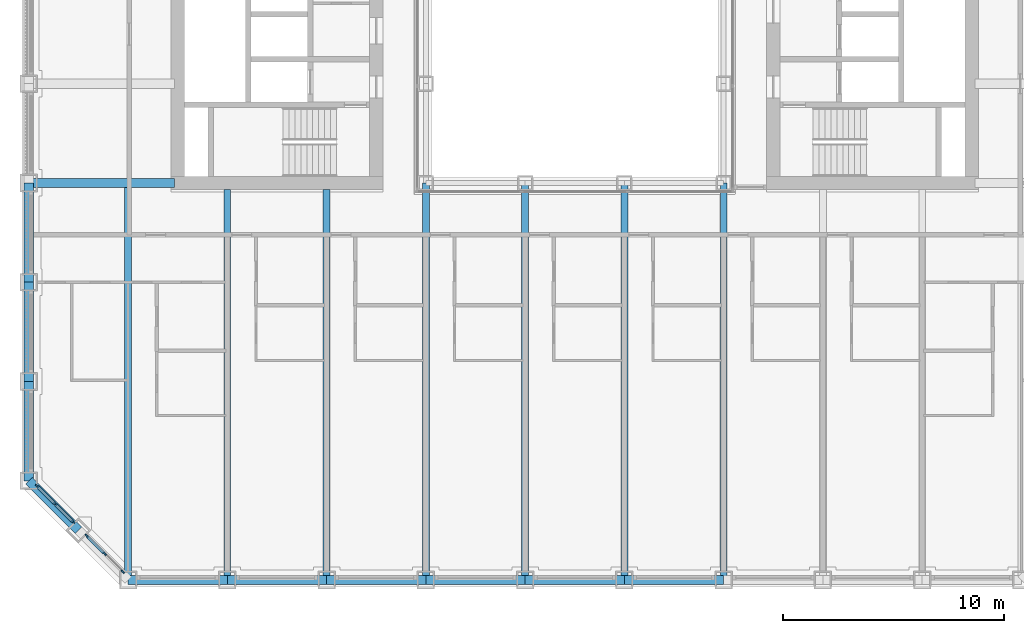
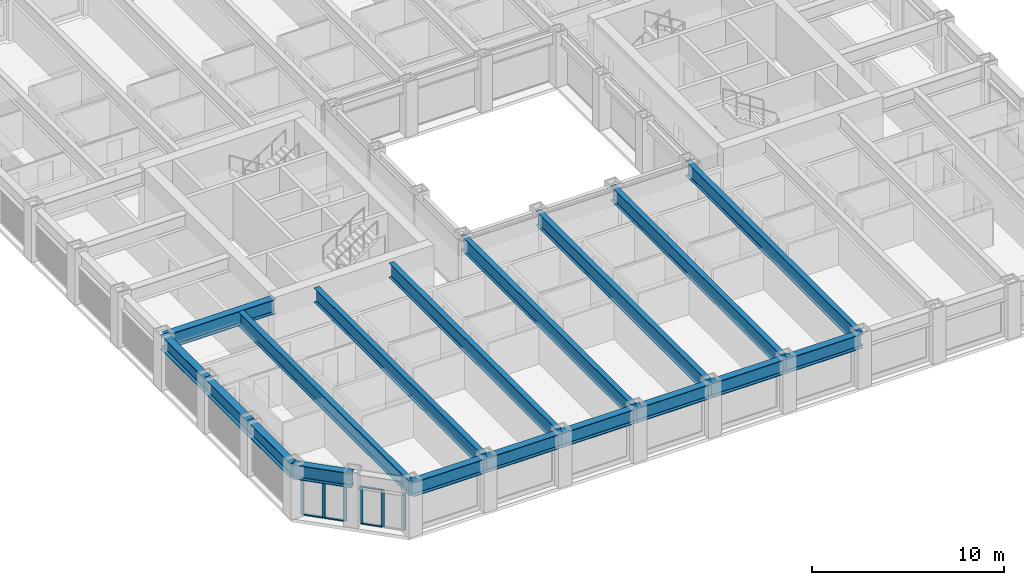
# One storey, part 2 of 21: 18 beams, 12 members, 2 elements without a shape of their own.
"""IFC4 building model written with IfcOpenShell, lengths in metres."""

import ifcopenshell
import ifcopenshell.guid

model = None  # the IFC model being written
_history = None  # IfcOwnerHistory: only IFC2X3 demands one
_inside = {}  # id of a spatial element -> (the spatial element, [elements in it])
_under = {}  # id of a project, library or spatial element -> (it, [spatial elements below it])
_declared = {}  # id of a project -> (the project, [libraries it declares])
_typed = {}  # id of a type object -> (the type object, [elements of that type])
_made_of = {}  # id of a material, layer set ... -> (it, [elements and type objects made of it])


def new_model(schema):
    """Start an empty IFC model of exactly this schema.

    Asked for "IFC4X3", IfcOpenShell would pick the latest addendum, in which some entities
    have other attributes; the version numbers below select the first issue.
    IFC2X3 requires an IfcOwnerHistory on every rooted entity: one is made here for all.
    """
    global model, _history
    if schema == "IFC4X3":
        model = ifcopenshell.file(schema_version=(4, 3, 0, 0))
    else:
        model = ifcopenshell.file(schema=schema)
    _inside.clear()
    _under.clear()
    _declared.clear()
    _typed.clear()
    _made_of.clear()
    _history = None
    if model.schema == "IFC2X3":
        org = make("IfcOrganization", Name="unknown")
        user = make(
            "IfcPersonAndOrganization",
            ThePerson=make("IfcPerson", FamilyName="unknown"),
            TheOrganization=org,
        )
        app = make(
            "IfcApplication",
            ApplicationDeveloper=org,
            Version="unknown",
            ApplicationFullName="unknown",
            ApplicationIdentifier="unknown",
        )
        _history = make(
            "IfcOwnerHistory",
            OwningUser=user,
            OwningApplication=app,
            ChangeAction="ADDED",
            CreationDate=0,
        )
    return model


def make(cls, **values):
    """One entity of the class cls with the attributes given. An attribute that is None is left unset."""
    return model.create_entity(
        cls, **{name: value for name, value in values.items() if value is not None}
    )


def rooted(cls, **values):
    """An entity with a GlobalId (a new one), such as an element, a storey or a relation."""
    return make(cls, GlobalId=ifcopenshell.guid.new(), OwnerHistory=_history, **values)


def si_unit(unit_type, name, prefix=None):
    """IfcSIUnit, for example si_unit("LENGTHUNIT", "METRE", prefix="MILLI")."""
    return make("IfcSIUnit", UnitType=unit_type, Prefix=prefix, Name=name)


def assignment(units):
    """IfcUnitAssignment: the units of a project."""
    return None if units is None else make("IfcUnitAssignment", Units=units)


def point(xyz):
    """IfcCartesianPoint."""
    return None if xyz is None else make("IfcCartesianPoint", Coordinates=xyz)


def direction(xyz):
    """IfcDirection."""
    return None if xyz is None else make("IfcDirection", DirectionRatios=xyz)


def frame(location, z_axis=None, x_axis=None):
    """IfcAxis2Placement3D, a coordinate frame: its origin and axes. An axis left out is left unset."""
    return make(
        "IfcAxis2Placement3D",
        Location=point(location),
        Axis=direction(z_axis),
        RefDirection=direction(x_axis),
    )


def frame_2d(location, x_axis=None):
    """IfcAxis2Placement2D, a coordinate frame in the plane: its origin and x axis."""
    return make(
        "IfcAxis2Placement2D", Location=point(location), RefDirection=direction(x_axis)
    )


def origin():
    """The frame at (0, 0, 0) with its axes left unset."""
    return frame((0.0, 0.0, 0.0))


def origin_2d():
    """The frame at (0, 0) in the plane with its x axis left unset."""
    return frame_2d((0.0, 0.0))


def place(relative_to, where):
    """IfcLocalPlacement: puts the frame where relative to a parent placement (None: the world)."""
    return make(
        "IfcLocalPlacement", PlacementRelTo=relative_to, RelativePlacement=where
    )


def context(
    kind, dimensions, precision=None, world=None, true_north=None, identifier=None
):
    """IfcGeometricRepresentationContext, for example the 3D "Model" context."""
    return make(
        "IfcGeometricRepresentationContext",
        ContextIdentifier=identifier,
        ContextType=kind,
        CoordinateSpaceDimension=dimensions,
        Precision=precision,
        WorldCoordinateSystem=world,
        TrueNorth=true_north,
    )


def subcontext(parent, identifier, kind, view, scale=None):
    """IfcGeometricRepresentationSubContext, for example "Body" below "Model"."""
    return make(
        "IfcGeometricRepresentationSubContext",
        ContextIdentifier=identifier,
        ContextType=kind,
        ParentContext=parent,
        TargetScale=scale,
        TargetView=view,
    )


def project(units=None, contexts=None):
    """IfcProject with its units and contexts."""
    return rooted(
        "IfcProject",
        Name="project",
        RepresentationContexts=contexts,
        UnitsInContext=assignment(units),
    )


def spatial(cls, under=None, at=None, **own):
    """A site, building, storey or space (cls), placed at a placement, below another one or the project."""
    s = rooted(cls, ObjectPlacement=at, **own)
    if under is not None:
        _under.setdefault(under.id(), (under, []))[1].append(s)
    return s


def profile(cls, at=None, kind="AREA", **sizes):
    """A parametric profile (cls). Its sizes go by their IFC names, for example OverallWidth=200.0."""
    return make(cls, ProfileType=kind, Position=at, **sizes)


def rectangle(**sizes):
    """IfcRectangleProfileDef."""
    return profile("IfcRectangleProfileDef", **sizes)


def i_section(**sizes):
    """IfcIShapeProfileDef."""
    return profile("IfcIShapeProfileDef", **sizes)


def extrude(swept, where, along, depth):
    """IfcExtrudedAreaSolid: the profile swept, set in the frame where, extruded along a direction by depth."""
    return make(
        "IfcExtrudedAreaSolid",
        SweptArea=swept,
        Position=where,
        ExtrudedDirection=direction(along),
        Depth=depth,
    )


def shape(context_of_items, identifier, shape_type, items):
    """IfcShapeRepresentation: the items that make up one representation, for example the "Body"."""
    return make(
        "IfcShapeRepresentation",
        ContextOfItems=context_of_items,
        RepresentationIdentifier=identifier,
        RepresentationType=shape_type,
        Items=items,
    )


def material(Name=None, Category=None):
    """IfcMaterial."""
    return make("IfcMaterial", Name=Name, Category=Category)


def material_profile(
    of_material, cross_section, Name=None, Category=None, Priority=None
):
    """IfcMaterialProfile: a cross section and its material."""
    return make(
        "IfcMaterialProfile",
        Name=Name,
        Material=of_material,
        Profile=cross_section,
        Priority=Priority,
        Category=Category,
    )


def profile_set(profiles, Name=None, composite=None):
    """IfcMaterialProfileSet."""
    return make(
        "IfcMaterialProfileSet",
        Name=Name,
        MaterialProfiles=profiles,
        CompositeProfile=composite,
    )


def made_of(thing, what):
    """Note that an element or type object is made of a material, layer set ...; save() writes the relation."""
    if what is not None:
        _made_of.setdefault(what.id(), (what, []))[1].append(thing)
    return thing


def type_object(cls, material=None, **own):
    """A type object (cls), such as IfcWallType, which elements share."""
    return made_of(rooted(cls, **own), material)


def element(
    cls,
    number,
    at=None,
    inside=None,
    cuts=None,
    type_object=None,
    material=None,
    context=None,
    identifier="Body",
    shape_type=None,
    held_by="IfcProductDefinitionShape",
    body=None,
    shapes=None,
    **own,
):
    """One element of the class cls, such as IfcWall. Its Tag is "e" and its number.

    at: its placement. inside: the storey or other place that contains it. cuts: it is an
    opening in that element (IfcRelVoidsElement). A single representation is given by context,
    identifier, shape_type and body (its items); several are given by shapes. held_by: the class
    of the entity that holds the representations. save() writes the other relations.
    """
    e = rooted(cls, Tag="e%d" % number, ObjectPlacement=at, **own)
    if body is not None:
        shapes = [shape(context, identifier, shape_type, body)]
    if shapes is not None:
        e.Representation = make(held_by, Representations=shapes)
    if inside is not None:
        _inside.setdefault(inside.id(), (inside, []))[1].append(e)
    if cuts is not None:
        rooted(
            "IfcRelVoidsElement", RelatingBuildingElement=cuts, RelatedOpeningElement=e
        )
    if type_object is not None:
        _typed.setdefault(type_object.id(), (type_object, []))[1].append(e)
    return made_of(e, material)


def aggregate(whole, parts):
    """IfcRelAggregates: a whole, such as a stair, and the parts it consists of."""
    return rooted("IfcRelAggregates", RelatingObject=whole, RelatedObjects=parts)


def save(model, path):
    """Write the relations noted so far, then the file.

    IfcRelAggregates (storeys below a building ...), IfcRelContainedInSpatialStructure (elements
    in a storey), IfcRelDefinesByType, IfcRelAssociatesMaterial and IfcRelDeclares: one each for
    every whole, place, type object, material and project.
    """
    for whole, parts in _under.values():
        aggregate(whole, parts)
    for where, things in _inside.values():
        rooted(
            "IfcRelContainedInSpatialStructure",
            RelatedElements=things,
            RelatingStructure=where,
        )
    for kind, things in _typed.values():
        rooted("IfcRelDefinesByType", RelatedObjects=things, RelatingType=kind)
    for what, things in _made_of.values():
        rooted("IfcRelAssociatesMaterial", RelatedObjects=things, RelatingMaterial=what)
    for by, libraries in _declared.values():
        rooted("IfcRelDeclares", RelatingContext=by, RelatedDefinitions=libraries)
    model.write(path)


model = new_model("IFC4")

# Units and contexts
model_context = context("Model", 3, precision=1e-05, world=origin(), true_north=direction((0.0, 1.0)))
body_context = subcontext(model_context, "Body", "Model", "MODEL_VIEW")
ifc_project = project(units=[si_unit("LENGTHUNIT", "METRE"), si_unit("AREAUNIT", "SQUARE_METRE"), si_unit("VOLUMEUNIT", "CUBIC_METRE"), si_unit("PLANEANGLEUNIT", "RADIAN"), si_unit("MASSUNIT", "GRAM", prefix="KILO")], contexts=[model_context])

# Site, building, storey
site_placement = place(None, origin())
site = spatial("IfcSite", under=ifc_project, at=site_placement, CompositionType="ELEMENT")
building_placement = place(site_placement, origin())
building = spatial("IfcBuilding", under=site, at=building_placement, Name="Msasa Ring Tower", CompositionType="ELEMENT")
storey_placement = place(building_placement, frame((0.0, 0.0, 33.5)))
storey = spatial("IfcBuildingStorey", under=building, at=storey_placement, Name="L07", CompositionType="ELEMENT", Elevation=33.5)

# Curtain wall, members
ifc_material_1 = material(Name="Aluminium curtain wall with clear glass", Category="aluminium")
curtain_wall_type = type_object("IfcCurtainWallType", Name="CW-C CHAMFER CORNER CURTAIN WALL", PredefinedType="NOTDEFINED", material=ifc_material_1)
curtain_wall_1_placement = place(storey_placement, origin())
curtain_wall_1 = element("IfcCurtainWall", 1, at=curtain_wall_1_placement, inside=storey, type_object=curtain_wall_type, Name="Chamfer corner curtain wall SW L07", PredefinedType="NOTDEFINED")
ifc_material_2 = material(Name="Aluminium mullion", Category="aluminium")
ifc_material_profile_1 = material_profile(ifc_material_2, rectangle(XDim=0.06494140625, YDim=0.179931640625, at=origin_2d()), Name="AL 65x180")
ifc_profile_set_1 = profile_set([ifc_material_profile_1], Name="Aluminium mullion")
member_type_1 = type_object("IfcMemberType", Name="CW-C MULLION 65x180", PredefinedType="MULLION", material=ifc_profile_set_1)
member_1_placement = place(storey_placement, frame((-24.369873046875, -20.48876953125, 0.0), z_axis=(0.0, 0.0, 1.0), x_axis=(0.707106781187, 0.707106781187, 0.0)))
member_1 = element("IfcMember", 2, at=member_1_placement, type_object=member_type_1, Name="CW-C mullion 1", PredefinedType="MULLION", context=body_context, shape_type="SweptSolid", body=[
    extrude(rectangle(XDim=0.06494140625, YDim=0.179931640625, at=origin_2d()), origin(), (0.0, 0.0, 1.0), 2.37890625),
])
member_2_placement = place(storey_placement, frame((-23.55419921875, -21.30419921875, 0.0), z_axis=(0.0, 0.0, 1.0), x_axis=(0.707106781187, 0.707106781187, 0.0)))
member_2 = element("IfcMember", 3, at=member_2_placement, type_object=member_type_1, Name="CW-C mullion 2", PredefinedType="MULLION", context=body_context, shape_type="SweptSolid", body=[
    extrude(rectangle(XDim=0.06494140625, YDim=0.179931640625, at=origin_2d()), origin(), (0.0, 0.0, 1.0), 2.37890625),
])
member_3_placement = place(storey_placement, frame((-22.73876953125, -22.119873046875, 0.0), z_axis=(0.0, 0.0, 1.0), x_axis=(0.707106781187, 0.707106781187, 0.0)))
member_3 = element("IfcMember", 4, at=member_3_placement, type_object=member_type_1, Name="CW-C mullion 3", PredefinedType="MULLION", context=body_context, shape_type="SweptSolid", body=[
    extrude(rectangle(XDim=0.06494140625, YDim=0.179931640625, at=origin_2d()), origin(), (0.0, 0.0, 1.0), 2.37890625),
])

curtain_wall_2_placement = place(storey_placement, origin())
curtain_wall_2 = element("IfcCurtainWall", 5, at=curtain_wall_2_placement, inside=storey, type_object=curtain_wall_type, Name="Chamfer corner curtain wall SW L07", PredefinedType="NOTDEFINED")
member_4_placement = place(storey_placement, frame((-22.119873046875, -22.73876953125, 0.0), z_axis=(0.0, 0.0, 1.0), x_axis=(0.707106781187, 0.707106781187, 0.0)))
member_4 = element("IfcMember", 6, at=member_4_placement, type_object=member_type_1, Name="CW-C mullion 1", PredefinedType="MULLION", context=body_context, shape_type="SweptSolid", body=[
    extrude(rectangle(XDim=0.06494140625, YDim=0.179931640625, at=origin_2d()), origin(), (0.0, 0.0, 1.0), 2.37890625),
])
member_5_placement = place(storey_placement, frame((-21.30419921875, -23.55419921875, 0.0), z_axis=(0.0, 0.0, 1.0), x_axis=(0.707106781187, 0.707106781187, 0.0)))
member_5 = element("IfcMember", 7, at=member_5_placement, type_object=member_type_1, Name="CW-C mullion 2", PredefinedType="MULLION", context=body_context, shape_type="SweptSolid", body=[
    extrude(rectangle(XDim=0.06494140625, YDim=0.179931640625, at=origin_2d()), origin(), (0.0, 0.0, 1.0), 2.37890625),
])
member_6_placement = place(storey_placement, frame((-20.48876953125, -24.369873046875, 0.0), z_axis=(0.0, 0.0, 1.0), x_axis=(0.707106781187, 0.707106781187, 0.0)))
member_6 = element("IfcMember", 8, at=member_6_placement, type_object=member_type_1, Name="CW-C mullion 3", PredefinedType="MULLION", context=body_context, shape_type="SweptSolid", body=[
    extrude(rectangle(XDim=0.06494140625, YDim=0.179931640625, at=origin_2d()), origin(), (0.0, 0.0, 1.0), 2.37890625),
])

# Member
ifc_material_3 = material(Name="Aluminium transom", Category="aluminium")
ifc_material_profile_2 = material_profile(ifc_material_3, rectangle(XDim=0.139892578125, YDim=0.06494140625, at=origin_2d()), Name="AL 65x140")
ifc_profile_set_2 = profile_set([ifc_material_profile_2], Name="Aluminium transom")
member_type_2 = type_object("IfcMemberType", Name="CW-C TRANSOM 65x140", PredefinedType="USERDEFINED", material=ifc_profile_set_2)
member_7_placement = place(storey_placement, frame((-24.346923828125, -20.51171875, 0.032470703125), z_axis=(0.707106781187, -0.707106781187, 0.0), x_axis=(0.707106781187, 0.707106781187, 0.0)))
member_7 = element("IfcMember", 9, at=member_7_placement, type_object=member_type_2, Name="CW-C transom 1.1", ObjectType="TRANSOM", PredefinedType="USERDEFINED", context=body_context, shape_type="SweptSolid", body=[
    extrude(rectangle(XDim=0.139892578125, YDim=0.06494140625, at=origin_2d()), origin(), (0.0, 0.0, 1.0), 1.08837890625),
])

member_8_placement = place(storey_placement, frame((-24.346923828125, -20.51171875, 2.346435546875), z_axis=(0.707106781187, -0.707106781187, 0.0), x_axis=(0.707106781187, 0.707106781187, 0.0)))
member_8 = element("IfcMember", 10, at=member_8_placement, type_object=member_type_2, Name="CW-C transom 1.2", ObjectType="TRANSOM", PredefinedType="USERDEFINED", context=body_context, shape_type="SweptSolid", body=[
    extrude(rectangle(XDim=0.139892578125, YDim=0.06494140625, at=origin_2d()), origin(), (0.0, 0.0, 1.0), 1.08837890625),
])

member_9_placement = place(storey_placement, frame((-23.53125, -21.327392578125, 0.032470703125), z_axis=(0.707106781187, -0.707106781187, 0.0), x_axis=(0.707106781187, 0.707106781187, 0.0)))
member_9 = element("IfcMember", 11, at=member_9_placement, type_object=member_type_2, Name="CW-C transom 2.1", ObjectType="TRANSOM", PredefinedType="USERDEFINED", context=body_context, shape_type="SweptSolid", body=[
    extrude(rectangle(XDim=0.139892578125, YDim=0.06494140625, at=origin_2d()), origin(), (0.0, 0.0, 1.0), 1.08837890625),
])

member_10_placement = place(storey_placement, frame((-23.53125, -21.327392578125, 2.346435546875), z_axis=(0.707106781187, -0.707106781187, 0.0), x_axis=(0.707106781187, 0.707106781187, 0.0)))
member_10 = element("IfcMember", 12, at=member_10_placement, type_object=member_type_2, Name="CW-C transom 2.2", ObjectType="TRANSOM", PredefinedType="USERDEFINED", context=body_context, shape_type="SweptSolid", body=[
    extrude(rectangle(XDim=0.139892578125, YDim=0.06494140625, at=origin_2d()), origin(), (0.0, 0.0, 1.0), 1.08837890625),
])

aggregate(curtain_wall_1, [member_1, member_2, member_3, member_7, member_8, member_9, member_10])

member_11_placement = place(storey_placement, frame((-22.096923828125, -22.76171875, 0.032470703125), z_axis=(0.707106781187, -0.707106781187, 0.0), x_axis=(0.707106781187, 0.707106781187, 0.0)))
member_11 = element("IfcMember", 13, at=member_11_placement, type_object=member_type_2, Name="CW-C transom 1.1", ObjectType="TRANSOM", PredefinedType="USERDEFINED", context=body_context, shape_type="SweptSolid", body=[
    extrude(rectangle(XDim=0.139892578125, YDim=0.06494140625, at=origin_2d()), origin(), (0.0, 0.0, 1.0), 1.08837890625),
])

member_12_placement = place(storey_placement, frame((-22.096923828125, -22.76171875, 2.346435546875), z_axis=(0.707106781187, -0.707106781187, 0.0), x_axis=(0.707106781187, 0.707106781187, 0.0)))
member_12 = element("IfcMember", 14, at=member_12_placement, type_object=member_type_2, Name="CW-C transom 1.2", ObjectType="TRANSOM", PredefinedType="USERDEFINED", context=body_context, shape_type="SweptSolid", body=[
    extrude(rectangle(XDim=0.139892578125, YDim=0.06494140625, at=origin_2d()), origin(), (0.0, 0.0, 1.0), 1.08837890625),
])

aggregate(curtain_wall_2, [member_4, member_5, member_6, member_11, member_12])

# Beams
ifc_material_4 = material(Name="Steel S355", Category="steel")
ifc_material_profile_3 = material_profile(ifc_material_4, i_section(OverallWidth=0.3076171875, OverallDepth=0.926513671875, WebThickness=0.01953125, FlangeThickness=0.031982421875, FilletRadius=0.01904296875, at=origin_2d()), Name="UB 914x305x289")
ifc_profile_set_3 = profile_set([ifc_material_profile_3], Name="Steel S355")
beam_type_1 = type_object("IfcBeamType", Name="FB3 UB 914x305x289", PredefinedType="BEAM", material=ifc_profile_set_3)
beam_1_placement = place(storey_placement, frame((-20.25, -24.75, 2.836669921875), z_axis=(0.0, 1.0, 0.0), x_axis=(-1.0, 0.0, 0.0)))
element("IfcBeam", 15, at=beam_1_placement, inside=storey, type_object=beam_type_1, Name="Floor beam S-20.25 under L08", PredefinedType="BEAM", context=body_context, shape_type="SweptSolid", body=[
    extrude(i_section(OverallWidth=0.3076171875, OverallDepth=0.926513671875, WebThickness=0.01953125, FlangeThickness=0.031982421875, FilletRadius=0.01904296875, at=origin_2d()), origin(), (0.0, 0.0, 1.0), 17.789794921875),
])
for number, where, z_axis, x_axis, name in (
    (16, (-15.75, -24.75, 2.836669921875), (0.0, 1.0, 0.0), (-1.0, 0.0, 0.0), "Floor beam S-15.75 under L08"),
    (17, (-11.25, -24.75, 2.836669921875), (0.0, 1.0, 0.0), (-1.0, 0.0, 0.0), "Floor beam S-11.25 under L08"),
):
    element("IfcBeam", number, at=place(storey_placement, frame(where, z_axis=z_axis, x_axis=x_axis)), inside=storey, type_object=beam_type_1, Name=name, PredefinedType="BEAM", context=body_context, shape_type="SweptSolid", body=[
        extrude(i_section(OverallWidth=0.3076171875, OverallDepth=0.926513671875, WebThickness=0.01953125, FlangeThickness=0.031982421875, FilletRadius=0.01904296875, at=origin_2d()), origin(), (0.0, 0.0, 1.0), 17.699951171875),
    ])
for number, where, z_axis, x_axis, name in (
    (18, (-6.75, -24.75, 2.836669921875), (0.0, 1.0, 0.0), (-1.0, 0.0, 0.0), "Floor beam S-6.75 under L08"),
    (19, (-2.25, -24.75, 2.836669921875), (0.0, 1.0, 0.0), (-1.0, 0.0, 0.0), "Floor beam S-2.25 under L08"),
    (20, (2.25, -24.75, 2.836669921875), (0.0, 1.0, 0.0), (-1.0, 0.0, 0.0), "Floor beam S+2.25 under L08"),
    (21, (6.75, -24.75, 2.836669921875), (0.0, 1.0, 0.0), (-1.0, 0.0, 0.0), "Floor beam S+6.75 under L08"),
):
    element("IfcBeam", number, at=place(storey_placement, frame(where, z_axis=z_axis, x_axis=x_axis)), inside=storey, type_object=beam_type_1, Name=name, PredefinedType="BEAM", context=body_context, shape_type="SweptSolid", body=[
        extrude(i_section(OverallWidth=0.3076171875, OverallDepth=0.926513671875, WebThickness=0.01953125, FlangeThickness=0.031982421875, FilletRadius=0.01904296875, at=origin_2d()), origin(), (0.0, 0.0, 1.0), 18.0),
    ])
ifc_material_5 = material(Name="Steel S355", Category="steel")
ifc_material_profile_4 = material_profile(ifc_material_5, i_section(OverallWidth=0.42041015625, OverallDepth=0.9208984375, WebThickness=0.021484375, FlangeThickness=0.03662109375, FilletRadius=0.024169921875, at=origin_2d()), Name="UB 914x419x388")
ifc_profile_set_4 = profile_set([ifc_material_profile_4], Name="Steel S355")
beam_type_2 = type_object("IfcBeamType", Name="GB1 UB 914x419x388", PredefinedType="BEAM", material=ifc_profile_set_4)
beam_2_placement = place(storey_placement, frame((-18.14990234375, -6.75, 2.839599609375), z_axis=(-1.0, 0.0, 0.0), x_axis=(0.0, -1.0, 0.0)))
element("IfcBeam", 22, at=beam_2_placement, inside=storey, type_object=beam_type_2, Name="Girder W -6.75 under L08", PredefinedType="BEAM", context=body_context, shape_type="SweptSolid", body=[
    extrude(i_section(OverallWidth=0.42041015625, OverallDepth=0.9208984375, WebThickness=0.021484375, FlangeThickness=0.03662109375, FilletRadius=0.024169921875, at=origin_2d()), origin(), (0.0, 0.0, 1.0), 6.60009765625),
])
ifc_material_6 = material(Name="Steel S355", Category="steel")
ifc_material_profile_5 = material_profile(ifc_material_6, i_section(OverallWidth=0.42041015625, OverallDepth=0.9208984375, WebThickness=0.021484375, FlangeThickness=0.03662109375, FilletRadius=0.024169921875, at=origin_2d()), Name="UB 914x419x388")
ifc_profile_set_5 = profile_set([ifc_material_profile_5], Name="Steel S355")
beam_type_3 = type_object("IfcBeamType", Name="SB1 UB 914x419x388", PredefinedType="SPANDREL", material=ifc_profile_set_5)
for number, where, z_axis, x_axis, name in (
    (23, (-24.75, -6.75, 2.839599609375), (0.0, -1.0, 0.0), (1.0, 0.0, 0.0), "Spandrel W-6.75 to W-11.25 under L08"),
    (24, (-24.75, -11.25, 2.839599609375), (0.0, -1.0, 0.0), (1.0, 0.0, 0.0), "Spandrel W-11.25 to W-15.75 under L08"),
    (25, (-24.75, -15.75, 2.839599609375), (0.0, -1.0, 0.0), (1.0, 0.0, 0.0), "Spandrel W-15.75 to W-20.25 under L08"),
):
    element("IfcBeam", number, at=place(storey_placement, frame(where, z_axis=z_axis, x_axis=x_axis)), inside=storey, type_object=beam_type_3, Name=name, PredefinedType="SPANDREL", context=body_context, shape_type="SweptSolid", body=[
        extrude(i_section(OverallWidth=0.42041015625, OverallDepth=0.9208984375, WebThickness=0.021484375, FlangeThickness=0.03662109375, FilletRadius=0.024169921875, at=origin_2d()), origin(), (0.0, 0.0, 1.0), 4.5),
    ])
beam_3_placement = place(storey_placement, frame((-24.75, -20.25, 2.839599609375), z_axis=(0.707106781187, -0.707106781187, 0.0), x_axis=(0.707106781187, 0.707106781187, 0.0)))
element("IfcBeam", 26, at=beam_3_placement, inside=storey, type_object=beam_type_3, Name="Spandrel W-20.25 to SW under L08", PredefinedType="SPANDREL", context=body_context, shape_type="SweptSolid", body=[
    extrude(i_section(OverallWidth=0.42041015625, OverallDepth=0.9208984375, WebThickness=0.021484375, FlangeThickness=0.03662109375, FilletRadius=0.024169921875, at=origin_2d()), origin(), (0.0, 0.0, 1.0), 3.181884765625),
])
for number, where, z_axis, x_axis, name in (
    (27, (-20.25, -24.75, 2.839599609375), (1.0, 0.0, 0.0), (0.0, 1.0, 0.0), "Spandrel S-20.25 to S-15.75 under L08"),
    (28, (-15.75, -24.75, 2.839599609375), (1.0, 0.0, 0.0), (0.0, 1.0, 0.0), "Spandrel S-15.75 to S-11.25 under L08"),
    (29, (-11.25, -24.75, 2.839599609375), (1.0, 0.0, 0.0), (0.0, 1.0, 0.0), "Spandrel S-11.25 to S-6.75 under L08"),
    (30, (-6.75, -24.75, 2.839599609375), (1.0, 0.0, 0.0), (0.0, 1.0, 0.0), "Spandrel S-6.75 to S-2.25 under L08"),
    (31, (-2.25, -24.75, 2.839599609375), (1.0, 0.0, 0.0), (0.0, 1.0, 0.0), "Spandrel S-2.25 to S+2.25 under L08"),
    (32, (2.25, -24.75, 2.839599609375), (1.0, 0.0, 0.0), (0.0, 1.0, 0.0), "Spandrel S+2.25 to S+6.75 under L08"),
):
    element("IfcBeam", number, at=place(storey_placement, frame(where, z_axis=z_axis, x_axis=x_axis)), inside=storey, type_object=beam_type_3, Name=name, PredefinedType="SPANDREL", context=body_context, shape_type="SweptSolid", body=[
        extrude(i_section(OverallWidth=0.42041015625, OverallDepth=0.9208984375, WebThickness=0.021484375, FlangeThickness=0.03662109375, FilletRadius=0.024169921875, at=origin_2d()), origin(), (0.0, 0.0, 1.0), 4.5),
    ])

save(model, "model.ifc")
